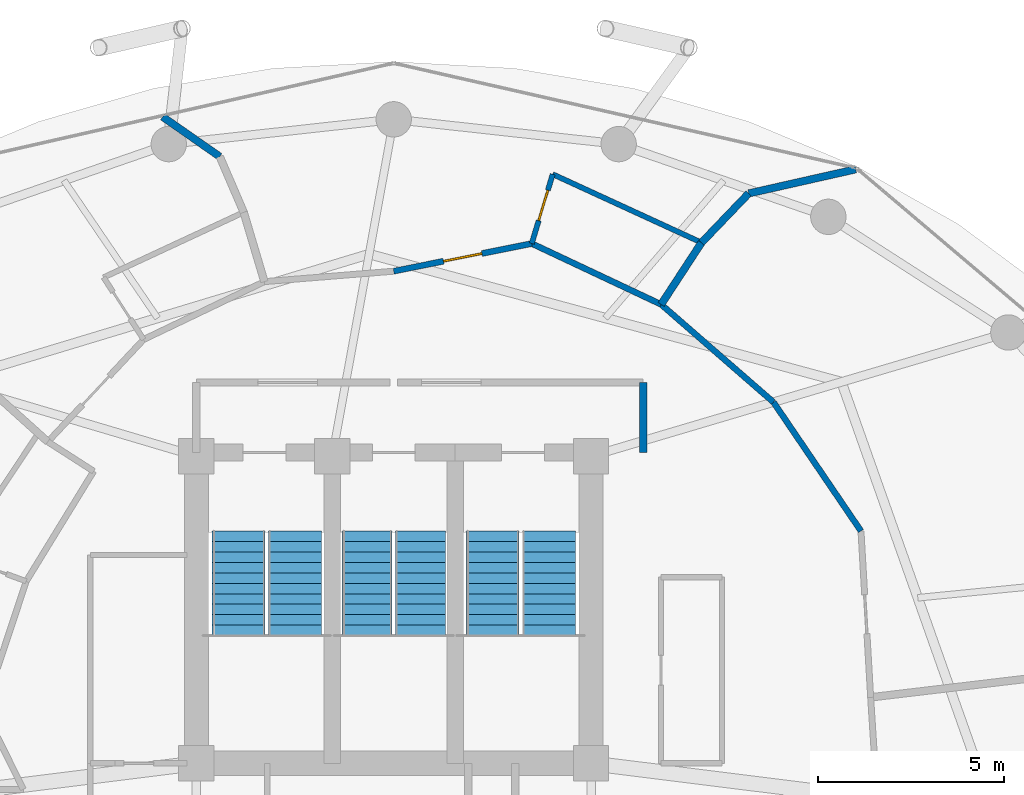
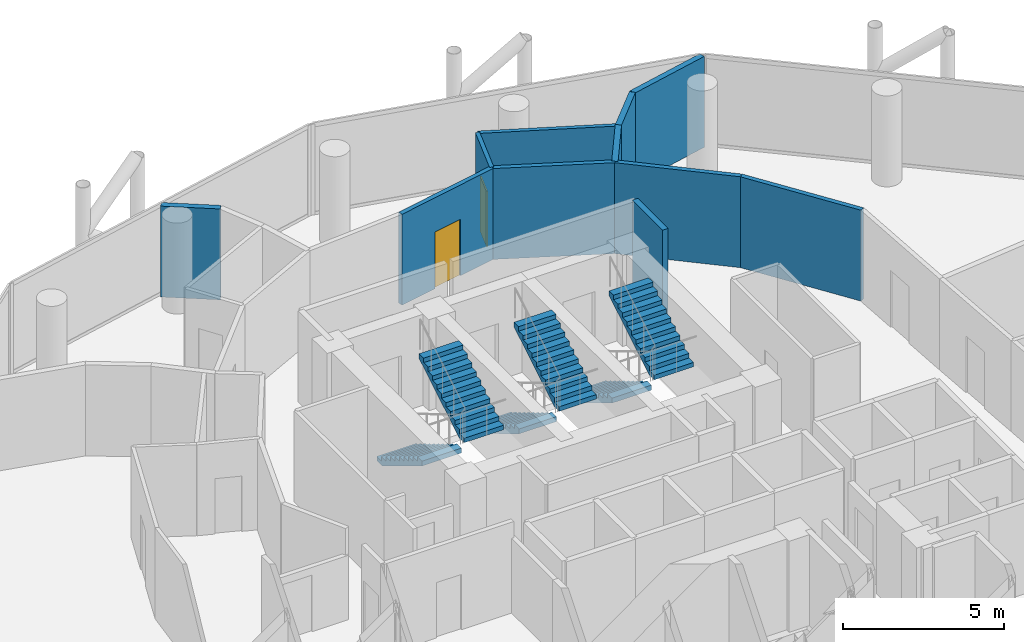
# One storey, part 25 of 26: 11 walls, 6 stair flights, 2 doors, 2 openings, 3 elements without a shape of their own.
"""IFC4 building model written with IfcOpenShell, lengths in metres."""

from ifc_helpers import new_model, si_unit, direction, frame, frame_2d, origin, place, context, subcontext, project, spatial, polyline, rectangle, outline, extrude, material, layer, layer_set, type_object, element, fill, aggregate, save


model = new_model("IFC4")

# Units and contexts
model_context = context("Model", 3, precision=1e-05, world=origin(), true_north=direction((0.0, 1.0)))
body_context = subcontext(model_context, "Body", "Model", "MODEL_VIEW")
ifc_project = project(units=[si_unit("LENGTHUNIT", "METRE"), si_unit("AREAUNIT", "SQUARE_METRE"), si_unit("VOLUMEUNIT", "CUBIC_METRE"), si_unit("PLANEANGLEUNIT", "RADIAN"), si_unit("MASSUNIT", "GRAM", prefix="KILO")], contexts=[model_context])

# Site, building, storey
site_placement = place(None, origin())
site = spatial("IfcSite", under=ifc_project, at=site_placement, CompositionType="ELEMENT")
building_placement = place(site_placement, origin())
building = spatial("IfcBuilding", under=site, at=building_placement, Name="Nuhasar Tower", CompositionType="ELEMENT")
storey_placement = place(building_placement, frame((0.0, 0.0, 125.64990234375)))
storey = spatial("IfcBuildingStorey", under=building, at=storey_placement, Name="L29", CompositionType="ELEMENT", Elevation=125.64990234375)

# Walls
ifc_material_1 = material(Name="Gypsum Board", Category="gypsum")
ifc_layer_1 = layer(ifc_material_1, 0.159912109375)
ifc_layer_set_1 = layer_set([ifc_layer_1], Name="Gypsum Board")
wall_type_1 = type_object("IfcWallType", Name="WL-CORR-160", PredefinedType="PARTITIONING", material=ifc_layer_set_1)
wall_1_placement = place(storey_placement, frame((51.552001953125, 35.291015625, 0.0), z_axis=(0.0, 0.0, 1.0), x_axis=(-0.561923717395, 0.827189056884, 0.0)))
element("IfcWall", 1, at=wall_1_placement, inside=storey, type_object=wall_type_1, Name="L29 Interior Partition CORR-04", PredefinedType="PARTITIONING", context=body_context, shape_type="SweptSolid", body=[
    extrude(rectangle(XDim=4.18408203125, YDim=0.159912109375, at=frame_2d((2.092041015625, 0.0))), origin(), (0.0, 0.0, 1.0), 3.4501953125),
])
wall_2_placement = place(storey_placement, frame((49.200927734375, 38.751953125, 0.0), z_axis=(0.0, 0.0, 1.0), x_axis=(-0.754279528435, 0.656553419749, 0.0)))
element("IfcWall", 2, at=wall_2_placement, inside=storey, type_object=wall_type_1, Name="L29 Interior Partition CORR-06", PredefinedType="PARTITIONING", context=body_context, shape_type="SweptSolid", body=[
    extrude(rectangle(XDim=3.999755859375, YDim=0.159912109375, at=frame_2d((2.0, 0.0))), origin(), (0.0, 0.0, 1.0), 3.4501953125),
])
wall_3_placement = place(storey_placement, frame((46.18408203125, 41.3779296875, 0.0), z_axis=(0.0, 0.0, 1.0), x_axis=(-0.904799978896, 0.425836821083, 0.0)))
element("IfcWall", 3, at=wall_3_placement, inside=storey, type_object=wall_type_1, Name="L29 Interior Partition CORR-08", PredefinedType="PARTITIONING", context=body_context, shape_type="SweptSolid", body=[
    extrude(rectangle(XDim=3.841796875, YDim=0.159912109375, at=frame_2d((1.9208984375, 0.0))), origin(), (0.0, 0.0, 1.0), 3.4501953125),
])

# Wall, opening, door
wall_4_placement = place(storey_placement, frame((39.0, 42.27001953125, 0.0), z_axis=(0.0, 0.0, 1.0), x_axis=(0.980463806225, 0.196699579771, 0.0)))
wall_4 = element("IfcWall", 4, at=wall_4_placement, inside=storey, type_object=wall_type_1, Name="L29 Interior Partition CORR-10", PredefinedType="PARTITIONING", context=body_context, shape_type="SweptSolid", body=[
    extrude(rectangle(XDim=3.781982421875, YDim=0.159912109375, at=frame_2d((1.89111328125, 0.0))), origin(), (0.0, 0.0, 1.0), 3.4501953125),
])
opening_1_placement = place(wall_4_placement, frame((1.365966796875, 0.0, 0.0)))
opening_1 = element("IfcOpeningElement", 5, at=opening_1_placement, cuts=wall_4, Name="Opening DU-01", PredefinedType="OPENING", context=body_context, shape_type="SweptSolid", body=[
    extrude(rectangle(XDim=1.050048828125, YDim=2.14990234375, at=frame_2d((0.52490234375, 1.074951171875))), frame((0.0, 0.08984375, 0.0), z_axis=(0.0, -1.0, 0.0), x_axis=(1.0, 0.0, 0.0)), (0.0, 0.0, 1.0), 0.179931640625),
])
ifc_material_2 = material(Name="Timber Oak", Category="wood")
door_type_1 = type_object("IfcDoorType", Name="DR-SUITE-FD60-1050", OperationType="NOTDEFINED", PredefinedType="DOOR", material=ifc_material_2)
door_1_placement = place(opening_1_placement, origin())
door_1 = element("IfcDoor", 6, at=door_1_placement, inside=storey, type_object=door_type_1, Name="L29 Deluxe Junior Suite 05 Entrance Door", OperationType="SINGLE_SWING_RIGHT", OverallHeight=2.14990234375, OverallWidth=1.050048828125, PredefinedType="DOOR", context=body_context, shape_type="SweptSolid", body=[
    extrude(rectangle(XDim=1.050048828125, YDim=2.14990234375, at=frame_2d((0.52490234375, 1.074951171875))), frame((0.0, 0.02490234375, 0.0), z_axis=(0.0, -1.0, 0.0), x_axis=(1.0, 0.0, 0.0)), (0.0, 0.0, 1.0), 0.050048828125),
])
fill(opening_1, door_1)

# Walls
ifc_material_3 = material(Name="Concrete C45/55", Category="concrete")
ifc_layer_2 = layer(ifc_material_3, 0.199951171875)
ifc_layer_set_2 = layer_set([ifc_layer_2], Name="Concrete C45/55")
wall_type_2 = type_object("IfcWallType", Name="WL-LOBBY-200", PredefinedType="SOLIDWALL", material=ifc_layer_set_2)
wall_5_placement = place(storey_placement, frame((45.699951171875, 37.39990234375, 0.0), z_axis=(0.0, 0.0, 1.0), x_axis=(0.0, 1.0, 0.0)))
element("IfcWall", 7, at=wall_5_placement, inside=storey, type_object=wall_type_2, Name="L29 Interior Partition NSL-E", PredefinedType="SOLIDWALL", context=body_context, shape_type="SweptSolid", body=[
    extrude(rectangle(XDim=1.880126953125, YDim=0.199951171875, at=frame_2d((0.93994140625, 0.0))), origin(), (0.0, 0.0, 1.0), 3.4501953125),
])
ifc_material_4 = material(Name="Concrete C40/50 precast", Category="concrete")
ifc_layer_3 = layer(ifc_material_4, 0.199951171875)
ifc_layer_set_3 = layer_set([ifc_layer_3], Name="Concrete C40/50 precast")
wall_type_3 = type_object("IfcWallType", Name="WL-UNIT-200", PredefinedType="PARTITIONING", material=ifc_layer_set_3)
wall_6_placement = place(storey_placement, frame((46.18408203125, 41.3779296875, 0.0), z_axis=(0.0, 0.0, 1.0), x_axis=(0.547063612758, 0.837091036624, 0.0)))
element("IfcWall", 8, at=wall_6_placement, inside=storey, type_object=wall_type_3, Name="L29 Interior Partition HRAD-08-S1", PredefinedType="PARTITIONING", context=body_context, shape_type="SweptSolid", body=[
    extrude(rectangle(XDim=1.983154296875, YDim=0.199951171875, at=frame_2d((0.99169921875, 0.0))), origin(), (0.0, 0.0, 1.0), 3.4501953125),
])
wall_7_placement = place(storey_placement, frame((47.26904296875, 43.0380859375, 0.0), z_axis=(0.0, 0.0, 1.0), x_axis=(0.69193434713, 0.721960427767, 0.0)))
element("IfcWall", 9, at=wall_7_placement, inside=storey, type_object=wall_type_3, Name="L29 Interior Partition HRAD-08-S2", PredefinedType="PARTITIONING", context=body_context, shape_type="SweptSolid", body=[
    extrude(rectangle(XDim=1.829345703125, YDim=0.199951171875, at=frame_2d((0.91455078125, 0.0))), origin(), (0.0, 0.0, 1.0), 3.4501953125),
])
wall_8_placement = place(storey_placement, frame((48.534912109375, 44.35888671875, 0.0), z_axis=(0.0, 0.0, 1.0), x_axis=(0.975494880769, 0.220022129779, 0.0)))
element("IfcWall", 10, at=wall_8_placement, inside=storey, type_object=wall_type_3, Name="L29 Interior Partition HRAD-08-S3", PredefinedType="PARTITIONING", context=body_context, shape_type="SweptSolid", body=[
    extrude(rectangle(XDim=2.950439453125, YDim=0.199951171875, at=frame_2d((1.47509765625, 0.0))), origin(), (0.0, 0.0, 1.0), 3.4501953125),
])
wall_9_placement = place(storey_placement, frame((34.325927734375, 45.34912109375, 0.0), z_axis=(0.0, 0.0, 1.0), x_axis=(-0.820611891479, 0.571485890958, 0.0)))
element("IfcWall", 11, at=wall_9_placement, inside=storey, type_object=wall_type_3, Name="L29 Interior Partition HRAD-14-S3", PredefinedType="PARTITIONING", context=body_context, shape_type="SweptSolid", body=[
    extrude(rectangle(XDim=1.866943359375, YDim=0.199951171875, at=frame_2d((0.93359375, 0.0))), origin(), (0.0, 0.0, 1.0), 3.4501953125),
])

# Wall, opening, door
ifc_layer_4 = layer(ifc_material_4, 0.139892578125)
ifc_layer_set_4 = layer_set([ifc_layer_4], Name="Concrete C40/50 precast")
wall_type_4 = type_object("IfcWallType", Name="WL-WET-140", PredefinedType="PARTITIONING", material=ifc_layer_set_4)
wall_10_placement = place(storey_placement, frame((42.7080078125, 43.013916015625, 0.0), z_axis=(0.0, 0.0, 1.0), x_axis=(0.289547352799, 0.95716369054, 0.0)))
wall_10 = element("IfcWall", 12, at=wall_10_placement, inside=storey, type_object=wall_type_4, Name="L29 Interior Partition HBW-06", PredefinedType="PARTITIONING", context=body_context, shape_type="SweptSolid", body=[
    extrude(rectangle(XDim=1.9443359375, YDim=0.139892578125, at=frame_2d((0.97216796875, 0.0))), origin(), (0.0, 0.0, 1.0), 3.4501953125),
])
opening_2_placement = place(wall_10_placement, frame((0.64404296875, 0.0, 0.0)))
opening_2 = element("IfcOpeningElement", 13, at=opening_2_placement, cuts=wall_10, Name="Opening DB-01", PredefinedType="OPENING", context=body_context, shape_type="SweptSolid", body=[
    extrude(rectangle(XDim=0.85009765625, YDim=2.10009765625, at=frame_2d((0.425048828125, 1.050048828125))), frame((0.0, 0.080078125, 0.0), z_axis=(0.0, -1.0, 0.0), x_axis=(1.0, 0.0, 0.0)), (0.0, 0.0, 1.0), 0.159912109375),
])
door_type_2 = type_object("IfcDoorType", Name="DR-BATH-850", OperationType="NOTDEFINED", PredefinedType="DOOR", material=ifc_material_2)
door_2_placement = place(opening_2_placement, origin())
door_2 = element("IfcDoor", 14, at=door_2_placement, inside=storey, type_object=door_type_2, Name="L29 Deluxe Junior Suite 05 En-Suite Door", OperationType="SINGLE_SWING_RIGHT", OverallHeight=2.10009765625, OverallWidth=0.85009765625, PredefinedType="DOOR", context=body_context, shape_type="SweptSolid", body=[
    extrude(rectangle(XDim=0.85009765625, YDim=2.10009765625, at=frame_2d((0.425048828125, 1.050048828125))), frame((0.0, 0.02490234375, 0.0), z_axis=(0.0, -1.0, 0.0), x_axis=(1.0, 0.0, 0.0)), (0.0, 0.0, 1.0), 0.050048828125),
])
fill(opening_2, door_2)

# Wall
wall_11_placement = place(storey_placement, frame((47.26904296875, 43.0380859375, 0.0), z_axis=(0.0, 0.0, 1.0), x_axis=(-0.908679119713, 0.417495218412, 0.0)))
element("IfcWall", 15, at=wall_11_placement, inside=storey, type_object=wall_type_4, Name="L29 Interior Partition HBF-06-08", PredefinedType="PARTITIONING", context=body_context, shape_type="SweptSolid", body=[
    extrude(rectangle(XDim=4.39990234375, YDim=0.139892578125, at=frame_2d((2.199951171875, 0.0))), origin(), (0.0, 0.0, 1.0), 3.4501953125),
])

# Stair, stair flights
stair_type_1 = type_object("IfcStairType", Name="STR-ST-01-2F-22R-1682", PredefinedType="HALF_TURN_STAIR", material=ifc_material_3)
stair_1_placement = place(storey_placement, origin())
stair_1 = element("IfcStair", 16, at=stair_1_placement, inside=storey, type_object=stair_type_1, Name="L29 Exit Stair ST-01", PredefinedType="HALF_TURN_STAIR")
stair_flight_type_1 = type_object("IfcStairFlightType", Name="SFL-ST-01-11R-1682", PredefinedType="STRAIGHT", material=ifc_material_3)
stair_flight_1_placement = place(storey_placement, frame((34.830078125, 35.284912109375, 0.0), z_axis=(0.0, 0.0, 1.0), x_axis=(0.0, -1.0, 0.0)))
stair_flight_1 = element("IfcStairFlight", 17, at=stair_flight_1_placement, type_object=stair_flight_type_1, Name="ST-01 flight 1", NumberOfRisers=11, NumberOfTreads=10, PredefinedType="STRAIGHT", RiserHeight=0.168182, TreadLength=0.28, context=body_context, shape_type="SweptSolid", body=[
    extrude(outline(polyline([(0.0, 0.0), (0.0, 0.168212890625), (0.280029296875, 0.168212890625), (0.280029296875, 0.33642578125), (0.56005859375, 0.33642578125), (0.56005859375, 0.504638671875), (0.840087890625, 0.504638671875), (0.840087890625, 0.672607421875), (1.1201171875, 0.672607421875), (1.1201171875, 0.8408203125), (1.39990234375, 0.8408203125), (1.39990234375, 1.009033203125), (1.679931640625, 1.009033203125), (1.679931640625, 1.17724609375), (1.9599609375, 1.17724609375), (1.9599609375, 1.345458984375), (2.239990234375, 1.345458984375), (2.239990234375, 1.513671875), (2.52001953125, 1.513671875), (2.52001953125, 1.681884765625), (2.800048828125, 1.681884765625), (2.800048828125, 1.85009765625), (2.800048828125, 1.495361328125), (0.310546875, 0.0), (0.0, 0.0)])), frame((0.0, 0.7099609375, 0.0), z_axis=(0.0, -1.0, 0.0), x_axis=(1.0, 0.0, 0.0)), (0.0, 0.0, 1.0), 1.419921875),
])
stair_flight_2_placement = place(storey_placement, frame((36.35009765625, 32.485107421875, 1.85009765625), z_axis=(0.0, 0.0, 1.0), x_axis=(0.0, 1.0, 0.0)))
stair_flight_2 = element("IfcStairFlight", 18, at=stair_flight_2_placement, type_object=stair_flight_type_1, Name="ST-01 flight 2", NumberOfRisers=11, NumberOfTreads=10, PredefinedType="STRAIGHT", RiserHeight=0.168182, TreadLength=0.28, context=body_context, shape_type="SweptSolid", body=[
    extrude(outline(polyline([(0.0, 0.0), (0.0, 0.168212890625), (0.280029296875, 0.168212890625), (0.280029296875, 0.33642578125), (0.56005859375, 0.33642578125), (0.56005859375, 0.504638671875), (0.840087890625, 0.504638671875), (0.840087890625, 0.672607421875), (1.1201171875, 0.672607421875), (1.1201171875, 0.8408203125), (1.39990234375, 0.8408203125), (1.39990234375, 1.009033203125), (1.679931640625, 1.009033203125), (1.679931640625, 1.17724609375), (1.9599609375, 1.17724609375), (1.9599609375, 1.345458984375), (2.239990234375, 1.345458984375), (2.239990234375, 1.513671875), (2.52001953125, 1.513671875), (2.52001953125, 1.681884765625), (2.800048828125, 1.681884765625), (2.800048828125, 1.85009765625), (2.800048828125, 1.495361328125), (0.310546875, 0.0), (0.0, 0.0)])), frame((0.0, 0.7099609375, 0.0), z_axis=(0.0, -1.0, 0.0), x_axis=(1.0, 0.0, 0.0)), (0.0, 0.0, 1.0), 1.419921875),
])
aggregate(stair_1, [stair_flight_1, stair_flight_2])

stair_type_2 = type_object("IfcStairType", Name="STR-ST-02-2F-22R-1682", PredefinedType="HALF_TURN_STAIR", material=ifc_material_3)
stair_2_placement = place(storey_placement, origin())
stair_2 = element("IfcStair", 19, at=stair_2_placement, inside=storey, type_object=stair_type_2, Name="L29 Exit Stair ST-02", PredefinedType="HALF_TURN_STAIR")
stair_flight_type_2 = type_object("IfcStairFlightType", Name="SFL-ST-02-11R-1682", PredefinedType="STRAIGHT", material=ifc_material_3)
stair_flight_3_placement = place(storey_placement, frame((41.64990234375, 35.284912109375, 0.0), z_axis=(0.0, 0.0, 1.0), x_axis=(0.0, -1.0, 0.0)))
stair_flight_3 = element("IfcStairFlight", 20, at=stair_flight_3_placement, type_object=stair_flight_type_2, Name="ST-02 flight 1", NumberOfRisers=11, NumberOfTreads=10, PredefinedType="STRAIGHT", RiserHeight=0.168182, TreadLength=0.28, context=body_context, shape_type="SweptSolid", body=[
    extrude(outline(polyline([(0.0, 0.0), (0.0, 0.168212890625), (0.280029296875, 0.168212890625), (0.280029296875, 0.33642578125), (0.56005859375, 0.33642578125), (0.56005859375, 0.504638671875), (0.840087890625, 0.504638671875), (0.840087890625, 0.672607421875), (1.1201171875, 0.672607421875), (1.1201171875, 0.8408203125), (1.39990234375, 0.8408203125), (1.39990234375, 1.009033203125), (1.679931640625, 1.009033203125), (1.679931640625, 1.17724609375), (1.9599609375, 1.17724609375), (1.9599609375, 1.345458984375), (2.239990234375, 1.345458984375), (2.239990234375, 1.513671875), (2.52001953125, 1.513671875), (2.52001953125, 1.681884765625), (2.800048828125, 1.681884765625), (2.800048828125, 1.85009765625), (2.800048828125, 1.495361328125), (0.310546875, 0.0), (0.0, 0.0)])), frame((0.0, 0.7099609375, 0.0), z_axis=(0.0, -1.0, 0.0), x_axis=(1.0, 0.0, 0.0)), (0.0, 0.0, 1.0), 1.419921875),
])
stair_flight_4_placement = place(storey_placement, frame((43.169921875, 32.485107421875, 1.85009765625), z_axis=(0.0, 0.0, 1.0), x_axis=(0.0, 1.0, 0.0)))
stair_flight_4 = element("IfcStairFlight", 21, at=stair_flight_4_placement, type_object=stair_flight_type_2, Name="ST-02 flight 2", NumberOfRisers=11, NumberOfTreads=10, PredefinedType="STRAIGHT", RiserHeight=0.168182, TreadLength=0.28, context=body_context, shape_type="SweptSolid", body=[
    extrude(outline(polyline([(0.0, 0.0), (0.0, 0.168212890625), (0.280029296875, 0.168212890625), (0.280029296875, 0.33642578125), (0.56005859375, 0.33642578125), (0.56005859375, 0.504638671875), (0.840087890625, 0.504638671875), (0.840087890625, 0.672607421875), (1.1201171875, 0.672607421875), (1.1201171875, 0.8408203125), (1.39990234375, 0.8408203125), (1.39990234375, 1.009033203125), (1.679931640625, 1.009033203125), (1.679931640625, 1.17724609375), (1.9599609375, 1.17724609375), (1.9599609375, 1.345458984375), (2.239990234375, 1.345458984375), (2.239990234375, 1.513671875), (2.52001953125, 1.513671875), (2.52001953125, 1.681884765625), (2.800048828125, 1.681884765625), (2.800048828125, 1.85009765625), (2.800048828125, 1.495361328125), (0.310546875, 0.0), (0.0, 0.0)])), frame((0.0, 0.7099609375, 0.0), z_axis=(0.0, -1.0, 0.0), x_axis=(1.0, 0.0, 0.0)), (0.0, 0.0, 1.0), 1.419921875),
])
aggregate(stair_2, [stair_flight_3, stair_flight_4])

stair_type_3 = type_object("IfcStairType", Name="STR-ST-03-2F-22R-1682", PredefinedType="HALF_TURN_STAIR", material=ifc_material_3)
stair_3_placement = place(storey_placement, origin())
stair_3 = element("IfcStair", 22, at=stair_3_placement, inside=storey, type_object=stair_type_3, Name="L29 Exit Stair ST-03", PredefinedType="HALF_TURN_STAIR")
stair_flight_type_3 = type_object("IfcStairFlightType", Name="SFL-ST-03-11R-1682", PredefinedType="STRAIGHT", material=ifc_material_3)
stair_flight_5_placement = place(storey_placement, frame((38.280029296875, 35.284912109375, 0.0), z_axis=(0.0, 0.0, 1.0), x_axis=(0.0, -1.0, 0.0)))
stair_flight_5 = element("IfcStairFlight", 23, at=stair_flight_5_placement, type_object=stair_flight_type_3, Name="ST-03 flight 1", NumberOfRisers=11, NumberOfTreads=10, PredefinedType="STRAIGHT", RiserHeight=0.168182, TreadLength=0.28, context=body_context, shape_type="SweptSolid", body=[
    extrude(outline(polyline([(0.0, 0.0), (0.0, 0.168212890625), (0.280029296875, 0.168212890625), (0.280029296875, 0.33642578125), (0.56005859375, 0.33642578125), (0.56005859375, 0.504638671875), (0.840087890625, 0.504638671875), (0.840087890625, 0.672607421875), (1.1201171875, 0.672607421875), (1.1201171875, 0.8408203125), (1.39990234375, 0.8408203125), (1.39990234375, 1.009033203125), (1.679931640625, 1.009033203125), (1.679931640625, 1.17724609375), (1.9599609375, 1.17724609375), (1.9599609375, 1.345458984375), (2.239990234375, 1.345458984375), (2.239990234375, 1.513671875), (2.52001953125, 1.513671875), (2.52001953125, 1.681884765625), (2.800048828125, 1.681884765625), (2.800048828125, 1.85009765625), (2.800048828125, 1.495361328125), (0.310546875, 0.0), (0.0, 0.0)])), frame((0.0, 0.669921875, 0.0), z_axis=(0.0, -1.0, 0.0), x_axis=(1.0, 0.0, 0.0)), (0.0, 0.0, 1.0), 1.340087890625),
])
stair_flight_6_placement = place(storey_placement, frame((39.719970703125, 32.485107421875, 1.85009765625), z_axis=(0.0, 0.0, 1.0), x_axis=(0.0, 1.0, 0.0)))
stair_flight_6 = element("IfcStairFlight", 24, at=stair_flight_6_placement, type_object=stair_flight_type_3, Name="ST-03 flight 2", NumberOfRisers=11, NumberOfTreads=10, PredefinedType="STRAIGHT", RiserHeight=0.168182, TreadLength=0.28, context=body_context, shape_type="SweptSolid", body=[
    extrude(outline(polyline([(0.0, 0.0), (0.0, 0.168212890625), (0.280029296875, 0.168212890625), (0.280029296875, 0.33642578125), (0.56005859375, 0.33642578125), (0.56005859375, 0.504638671875), (0.840087890625, 0.504638671875), (0.840087890625, 0.672607421875), (1.1201171875, 0.672607421875), (1.1201171875, 0.8408203125), (1.39990234375, 0.8408203125), (1.39990234375, 1.009033203125), (1.679931640625, 1.009033203125), (1.679931640625, 1.17724609375), (1.9599609375, 1.17724609375), (1.9599609375, 1.345458984375), (2.239990234375, 1.345458984375), (2.239990234375, 1.513671875), (2.52001953125, 1.513671875), (2.52001953125, 1.681884765625), (2.800048828125, 1.681884765625), (2.800048828125, 1.85009765625), (2.800048828125, 1.495361328125), (0.310546875, 0.0), (0.0, 0.0)])), frame((0.0, 0.669921875, 0.0), z_axis=(0.0, -1.0, 0.0), x_axis=(1.0, 0.0, 0.0)), (0.0, 0.0, 1.0), 1.340087890625),
])
aggregate(stair_3, [stair_flight_5, stair_flight_6])

save(model, "model.ifc")
